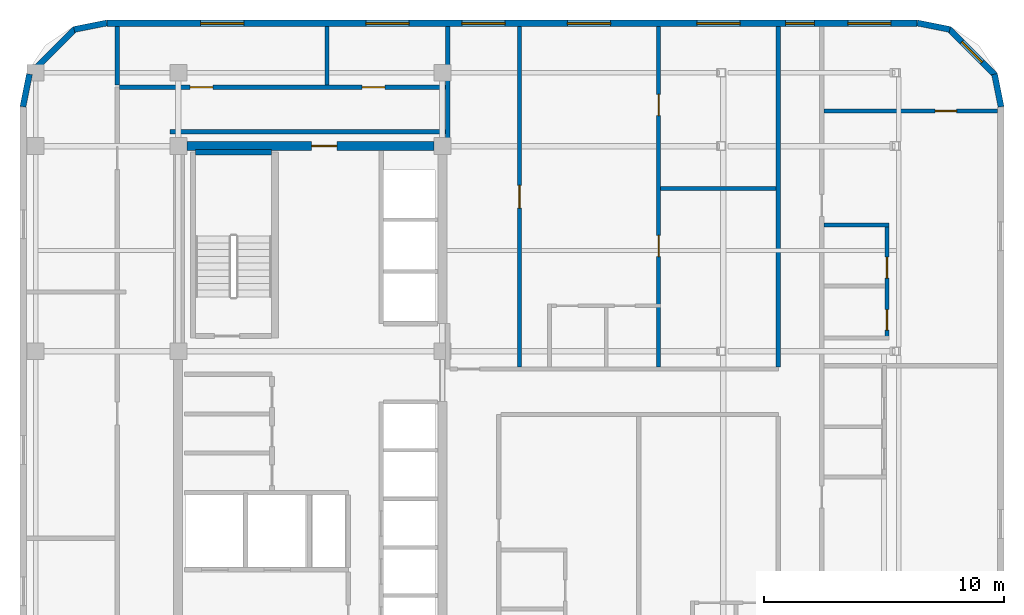
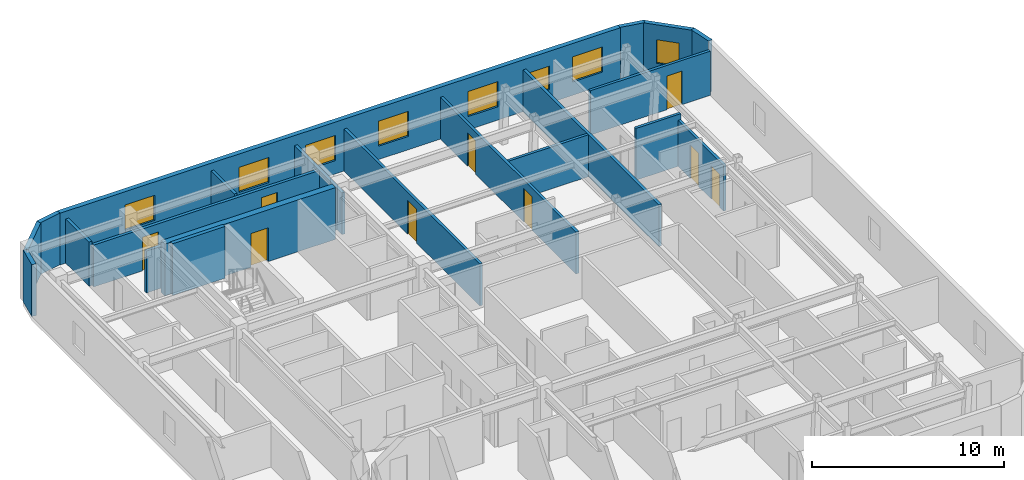
# One storey, part 6 of 8: 21 walls, 9 doors, 8 windows, 17 openings.
"""IFC4 building model written with IfcOpenShell, lengths in metres."""

from ifc_helpers import new_model, si_unit, direction, frame, frame_2d, origin, place, context, subcontext, project, spatial, rectangle, extrude, material, layer, layer_set, type_object, element, fill, save


model = new_model("IFC4")

# Units and contexts
model_context = context("Model", 3, precision=1e-05, world=origin(), true_north=direction((0.0, 1.0)))
body_context = subcontext(model_context, "Body", "Model", "MODEL_VIEW")
ifc_project = project(units=[si_unit("LENGTHUNIT", "METRE"), si_unit("AREAUNIT", "SQUARE_METRE"), si_unit("VOLUMEUNIT", "CUBIC_METRE"), si_unit("PLANEANGLEUNIT", "RADIAN"), si_unit("MASSUNIT", "GRAM", prefix="KILO")], contexts=[model_context])

# Site, building, storey
site_placement = place(None, origin())
site = spatial("IfcSite", under=ifc_project, at=site_placement, CompositionType="ELEMENT")
building_placement = place(site_placement, origin())
building = spatial("IfcBuilding", under=site, at=building_placement, Name="Ochreholt Gables", CompositionType="ELEMENT")
storey_placement = place(building_placement, frame((0.0, 0.0, 196.199951171875)))
storey = spatial("IfcBuildingStorey", under=building, at=storey_placement, Name="L51", CompositionType="ELEMENT", Elevation=196.199951171875)

# Wall, opening, door
ifc_material_1 = material(Name="Concrete 50 MPa", Category="concrete")
ifc_layer_1 = layer(ifc_material_1, 0.3798828125, Name="Concrete 50 MPa")
ifc_layer_set_1 = layer_set([ifc_layer_1], Name="Concrete 50 MPa")
wall_type_1 = type_object("IfcWallType", Name="WALL-CSW-380", PredefinedType="SHEAR", material=ifc_layer_set_1)
wall_1_placement = place(storey_placement, frame((24.550048828125, 38.75, 0.0), z_axis=(0.0, 0.0, 1.0), x_axis=(1.0, 0.0, 0.0)))
wall_1 = element("IfcWall", 1, at=wall_1_placement, inside=storey, type_object=wall_type_1, Name="L51 Core North Shear Wall", PredefinedType="SHEAR", context=body_context, shape_type="SweptSolid", body=[
    extrude(rectangle(XDim=10.300048828125, YDim=0.3798828125, at=frame_2d((5.14990234375, 0.0))), origin(), (0.0, 0.0, 1.0), 3.300048828125),
])
opening_1_placement = place(wall_1_placement, frame((5.199951171875, 0.0, 0.0)))
opening_1 = element("IfcOpeningElement", 2, at=opening_1_placement, cuts=wall_1, Name="Opening D-FLB", PredefinedType="OPENING", context=body_context, shape_type="SweptSolid", body=[
    extrude(rectangle(XDim=1.050048828125, YDim=2.14990234375, at=frame_2d((0.52490234375, 1.074951171875))), frame((0.0, 0.199951171875, 0.0), z_axis=(0.0, -1.0, 0.0), x_axis=(1.0, 0.0, 0.0)), (0.0, 0.0, 1.0), 0.39990234375),
])
ifc_material_2 = material(Name="Hollow Metal Steel", Category="steel")
door_type_1 = type_object("IfcDoorType", Name="DR-INT-FLB1050", OperationType="NOTDEFINED", PredefinedType="DOOR", material=ifc_material_2)
door_1_placement = place(opening_1_placement, frame((1.050048828125, 0.0, 0.0), z_axis=(0.0, 0.0, 1.0), x_axis=(-1.0, 0.0, 0.0)))
door_1 = element("IfcDoor", 3, at=door_1_placement, inside=storey, type_object=door_type_1, Name="L51 Door D-C2CRN-L51", OperationType="SINGLE_SWING_RIGHT", OverallHeight=2.14990234375, OverallWidth=1.050048828125, PredefinedType="DOOR", context=body_context, shape_type="SweptSolid", body=[
    extrude(rectangle(XDim=1.050048828125, YDim=2.14990234375, at=frame_2d((0.52490234375, 1.074951171875))), frame((0.0, 0.02490234375, 0.0), z_axis=(0.0, -1.0, 0.0), x_axis=(1.0, 0.0, 0.0)), (0.0, 0.0, 1.0), 0.050048828125),
])
fill(opening_1, door_1)

# Wall, openings, windows
ifc_material_3 = material(Name="Precast concrete 40 MPa", Category="concrete")
ifc_layer_2 = layer(ifc_material_3, 0.280029296875, Name="Precast concrete 40 MPa")
ifc_layer_set_2 = layer_set([ifc_layer_2], Name="Precast concrete 40 MPa")
wall_type_2 = type_object("IfcWallType", Name="WALL-EXT-280", PredefinedType="SOLIDWALL", material=ifc_layer_set_2)
wall_2_placement = place(storey_placement, frame((54.97998046875, 43.860107421875, 0.0), z_axis=(0.0, 0.0, 1.0), x_axis=(-1.0, 0.0, 0.0)))
wall_2 = element("IfcWall", 4, at=wall_2_placement, inside=storey, type_object=wall_type_2, Name="L51 North Exterior Wall", PredefinedType="SOLIDWALL", context=body_context, shape_type="SweptSolid", body=[
    extrude(rectangle(XDim=33.760009765625, YDim=0.280029296875, at=frame_2d((16.8798828125, 0.0))), origin(), (0.0, 0.0, 1.0), 3.300048828125),
])
opening_2_placement = place(wall_2_placement, frame((28.054931640625, 0.0, 0.85009765625)))
opening_2 = element("IfcOpeningElement", 5, at=opening_2_placement, cuts=wall_2, Name="Opening WN-1", PredefinedType="OPENING", context=body_context, shape_type="SweptSolid", body=[
    extrude(rectangle(XDim=1.800048828125, YDim=1.60009765625, at=frame_2d((0.89990234375, 0.800048828125))), frame((0.0, 0.14990234375, 0.0), z_axis=(0.0, -1.0, 0.0), x_axis=(1.0, 0.0, 0.0)), (0.0, 0.0, 1.0), 0.300048828125),
])
opening_3_placement = place(wall_2_placement, frame((21.169921875, 0.0, 0.85009765625)))
opening_3 = element("IfcOpeningElement", 6, at=opening_3_placement, cuts=wall_2, Name="Opening WN-1", PredefinedType="OPENING", context=body_context, shape_type="SweptSolid", body=[
    extrude(rectangle(XDim=1.800048828125, YDim=1.60009765625, at=frame_2d((0.89990234375, 0.800048828125))), frame((0.0, 0.14990234375, 0.0), z_axis=(0.0, -1.0, 0.0), x_axis=(1.0, 0.0, 0.0)), (0.0, 0.0, 1.0), 0.300048828125),
])
opening_4_placement = place(wall_2_placement, frame((17.1650390625, 0.0, 0.85009765625)))
opening_4 = element("IfcOpeningElement", 7, at=opening_4_placement, cuts=wall_2, Name="Opening WN-1", PredefinedType="OPENING", context=body_context, shape_type="SweptSolid", body=[
    extrude(rectangle(XDim=1.800048828125, YDim=1.60009765625, at=frame_2d((0.89990234375, 0.800048828125))), frame((0.0, 0.14990234375, 0.0), z_axis=(0.0, -1.0, 0.0), x_axis=(1.0, 0.0, 0.0)), (0.0, 0.0, 1.0), 0.300048828125),
])
opening_5_placement = place(wall_2_placement, frame((12.77001953125, 0.0, 0.85009765625)))
opening_5 = element("IfcOpeningElement", 8, at=opening_5_placement, cuts=wall_2, Name="Opening WN-1", PredefinedType="OPENING", context=body_context, shape_type="SweptSolid", body=[
    extrude(rectangle(XDim=1.800048828125, YDim=1.60009765625, at=frame_2d((0.89990234375, 0.800048828125))), frame((0.0, 0.14990234375, 0.0), z_axis=(0.0, -1.0, 0.0), x_axis=(1.0, 0.0, 0.0)), (0.0, 0.0, 1.0), 0.300048828125),
])
opening_6_placement = place(wall_2_placement, frame((7.375, 0.0, 0.85009765625)))
opening_6 = element("IfcOpeningElement", 9, at=opening_6_placement, cuts=wall_2, Name="Opening WN-1", PredefinedType="OPENING", context=body_context, shape_type="SweptSolid", body=[
    extrude(rectangle(XDim=1.800048828125, YDim=1.60009765625, at=frame_2d((0.89990234375, 0.800048828125))), frame((0.0, 0.14990234375, 0.0), z_axis=(0.0, -1.0, 0.0), x_axis=(1.0, 0.0, 0.0)), (0.0, 0.0, 1.0), 0.300048828125),
])
opening_7_placement = place(wall_2_placement, frame((4.280029296875, 0.0, 0.85009765625)))
opening_7 = element("IfcOpeningElement", 10, at=opening_7_placement, cuts=wall_2, Name="Opening WN-3", PredefinedType="OPENING", context=body_context, shape_type="SweptSolid", body=[
    extrude(rectangle(XDim=1.199951171875, YDim=1.5, at=frame_2d((0.60009765625, 0.75))), frame((0.0, 0.14990234375, 0.0), z_axis=(0.0, -1.0, 0.0), x_axis=(1.0, 0.0, 0.0)), (0.0, 0.0, 1.0), 0.300048828125),
])
opening_8_placement = place(wall_2_placement, frame((1.090087890625, 0.0, 0.85009765625)))
opening_8 = element("IfcOpeningElement", 11, at=opening_8_placement, cuts=wall_2, Name="Opening WN-1", PredefinedType="OPENING", context=body_context, shape_type="SweptSolid", body=[
    extrude(rectangle(XDim=1.800048828125, YDim=1.60009765625, at=frame_2d((0.89990234375, 0.800048828125))), frame((0.0, 0.14990234375, 0.0), z_axis=(0.0, -1.0, 0.0), x_axis=(1.0, 0.0, 0.0)), (0.0, 0.0, 1.0), 0.300048828125),
])
ifc_material_4 = material(Name="Triple-Glazed Thermally Broken Aluminium Window", Category="aluminium")
window_type_1 = type_object("IfcWindowType", Name="WIN-RES-1200", PartitioningType="SINGLE_PANEL", PredefinedType="WINDOW", material=ifc_material_4)
window_1_placement = place(opening_7_placement, origin())
window_1 = element("IfcWindow", 12, at=window_1_placement, inside=storey, type_object=window_type_1, Name="L51 Window W-EXT-N-L51-6", OverallHeight=1.5, OverallWidth=1.199951171875, PartitioningType="SINGLE_PANEL", PredefinedType="WINDOW", context=body_context, shape_type="SweptSolid", body=[
    extrude(rectangle(XDim=1.199951171875, YDim=1.5, at=frame_2d((0.60009765625, 0.75))), frame((0.0, 0.030029296875, 0.0), z_axis=(0.0, -1.0, 0.0), x_axis=(1.0, 0.0, 0.0)), (0.0, 0.0, 1.0), 0.06005859375),
])
fill(opening_7, window_1)
window_type_2 = type_object("IfcWindowType", Name="WIN-RES-1800", PartitioningType="SINGLE_PANEL", PredefinedType="WINDOW", material=ifc_material_4)
window_2_placement = place(opening_2_placement, origin())
window_2 = element("IfcWindow", 13, at=window_2_placement, inside=storey, type_object=window_type_2, Name="L51 Window W-EXT-N-L51-1", OverallHeight=1.60009765625, OverallWidth=1.800048828125, PartitioningType="SINGLE_PANEL", PredefinedType="WINDOW", context=body_context, shape_type="SweptSolid", body=[
    extrude(rectangle(XDim=1.800048828125, YDim=1.60009765625, at=frame_2d((0.89990234375, 0.800048828125))), frame((0.0, 0.030029296875, 0.0), z_axis=(0.0, -1.0, 0.0), x_axis=(1.0, 0.0, 0.0)), (0.0, 0.0, 1.0), 0.06005859375),
])
fill(opening_2, window_2)
window_3_placement = place(opening_3_placement, origin())
window_3 = element("IfcWindow", 14, at=window_3_placement, inside=storey, type_object=window_type_2, Name="L51 Window W-EXT-N-L51-2", OverallHeight=1.60009765625, OverallWidth=1.800048828125, PartitioningType="SINGLE_PANEL", PredefinedType="WINDOW", context=body_context, shape_type="SweptSolid", body=[
    extrude(rectangle(XDim=1.800048828125, YDim=1.60009765625, at=frame_2d((0.89990234375, 0.800048828125))), frame((0.0, 0.030029296875, 0.0), z_axis=(0.0, -1.0, 0.0), x_axis=(1.0, 0.0, 0.0)), (0.0, 0.0, 1.0), 0.06005859375),
])
fill(opening_3, window_3)
window_4_placement = place(opening_4_placement, origin())
window_4 = element("IfcWindow", 15, at=window_4_placement, inside=storey, type_object=window_type_2, Name="L51 Window W-EXT-N-L51-3", OverallHeight=1.60009765625, OverallWidth=1.800048828125, PartitioningType="SINGLE_PANEL", PredefinedType="WINDOW", context=body_context, shape_type="SweptSolid", body=[
    extrude(rectangle(XDim=1.800048828125, YDim=1.60009765625, at=frame_2d((0.89990234375, 0.800048828125))), frame((0.0, 0.030029296875, 0.0), z_axis=(0.0, -1.0, 0.0), x_axis=(1.0, 0.0, 0.0)), (0.0, 0.0, 1.0), 0.06005859375),
])
fill(opening_4, window_4)
window_5_placement = place(opening_5_placement, origin())
window_5 = element("IfcWindow", 16, at=window_5_placement, inside=storey, type_object=window_type_2, Name="L51 Window W-EXT-N-L51-4", OverallHeight=1.60009765625, OverallWidth=1.800048828125, PartitioningType="SINGLE_PANEL", PredefinedType="WINDOW", context=body_context, shape_type="SweptSolid", body=[
    extrude(rectangle(XDim=1.800048828125, YDim=1.60009765625, at=frame_2d((0.89990234375, 0.800048828125))), frame((0.0, 0.030029296875, 0.0), z_axis=(0.0, -1.0, 0.0), x_axis=(1.0, 0.0, 0.0)), (0.0, 0.0, 1.0), 0.06005859375),
])
fill(opening_5, window_5)
window_6_placement = place(opening_6_placement, origin())
window_6 = element("IfcWindow", 17, at=window_6_placement, inside=storey, type_object=window_type_2, Name="L51 Window W-EXT-N-L51-5", OverallHeight=1.60009765625, OverallWidth=1.800048828125, PartitioningType="SINGLE_PANEL", PredefinedType="WINDOW", context=body_context, shape_type="SweptSolid", body=[
    extrude(rectangle(XDim=1.800048828125, YDim=1.60009765625, at=frame_2d((0.89990234375, 0.800048828125))), frame((0.0, 0.030029296875, 0.0), z_axis=(0.0, -1.0, 0.0), x_axis=(1.0, 0.0, 0.0)), (0.0, 0.0, 1.0), 0.06005859375),
])
fill(opening_6, window_6)
window_7_placement = place(opening_8_placement, origin())
window_7 = element("IfcWindow", 18, at=window_7_placement, inside=storey, type_object=window_type_2, Name="L51 Window W-EXT-N-L51-7", OverallHeight=1.60009765625, OverallWidth=1.800048828125, PartitioningType="SINGLE_PANEL", PredefinedType="WINDOW", context=body_context, shape_type="SweptSolid", body=[
    extrude(rectangle(XDim=1.800048828125, YDim=1.60009765625, at=frame_2d((0.89990234375, 0.800048828125))), frame((0.0, 0.030029296875, 0.0), z_axis=(0.0, -1.0, 0.0), x_axis=(1.0, 0.0, 0.0)), (0.0, 0.0, 1.0), 0.06005859375),
])
fill(opening_8, window_7)

# Wall
ifc_layer_3 = layer(ifc_material_3, 0.25, Name="Precast concrete 40 MPa")
ifc_layer_set_3 = layer_set([ifc_layer_3], Name="Precast concrete 40 MPa")
wall_type_3 = type_object("IfcWallType", Name="WALL-EXT-CNR", PredefinedType="SOLIDWALL", material=ifc_layer_set_3)
wall_3_placement = place(storey_placement, frame((58.475830078125, 40.383544921875, 0.0), z_axis=(0.0, 0.0, 1.0), x_axis=(-0.19496651342, 0.980809899341, 0.0)))
element("IfcWall", 19, at=wall_3_placement, inside=storey, type_object=wall_type_3, Name="L51 Rounded Corner Wall NE-1", PredefinedType="SOLIDWALL", context=body_context, shape_type="SweptSolid", body=[
    extrude(rectangle(XDim=1.388671875, YDim=0.25, at=frame_2d((0.6943359375, 0.0))), origin(), (0.0, 0.0, 1.0), 3.300048828125),
])

# Wall, opening, window
wall_4_placement = place(storey_placement, frame((58.23193359375, 41.695068359375, 0.0), z_axis=(0.0, 0.0, 1.0), x_axis=(-0.707106781187, 0.707106781187, 0.0)))
wall_4 = element("IfcWall", 20, at=wall_4_placement, inside=storey, type_object=wall_type_3, Name="L51 Rounded Corner Wall NE-2", PredefinedType="SOLIDWALL", context=body_context, shape_type="SweptSolid", body=[
    extrude(rectangle(XDim=2.7392578125, YDim=0.25, at=frame_2d((1.36962890625, 0.0))), origin(), (0.0, 0.0, 1.0), 3.300048828125),
])
opening_9_placement = place(wall_4_placement, frame((0.769775390625, 0.0, 0.85009765625)))
opening_9 = element("IfcOpeningElement", 21, at=opening_9_placement, cuts=wall_4, Name="Opening WN-3", PredefinedType="OPENING", context=body_context, shape_type="SweptSolid", body=[
    extrude(rectangle(XDim=1.199951171875, YDim=1.5, at=frame_2d((0.60009765625, 0.75))), frame((0.0, 0.135009765625, 0.0), z_axis=(0.0, -1.0, 0.0), x_axis=(1.0, 0.0, 0.0)), (0.0, 0.0, 1.0), 0.27001953125),
])
window_8_placement = place(opening_9_placement, origin())
window_8 = element("IfcWindow", 22, at=window_8_placement, inside=storey, type_object=window_type_1, Name="L51 Corner Bedroom Window NE", OverallHeight=1.5, OverallWidth=1.199951171875, PartitioningType="SINGLE_PANEL", PredefinedType="WINDOW", context=body_context, shape_type="SweptSolid", body=[
    extrude(rectangle(XDim=1.199951171875, YDim=1.5, at=frame_2d((0.60009765625, 0.75))), frame((0.0, 0.030029296875, 0.0), z_axis=(0.0, -1.0, 0.0), x_axis=(1.0, 0.0, 0.0)), (0.0, 0.0, 1.0), 0.06005859375),
])
fill(opening_9, window_8)

# Walls
for number, where, z_axis, x_axis, name in (
    (23, (56.345458984375, 43.60498046875, 0.0), (0.0, 0.0, 1.0), (-0.980809899341, 0.19496651342, 0.0), "L51 Rounded Corner Wall NE-3"),
    (24, (21.216552734375, 43.875732421875, 0.0), (0.0, 0.0, 1.0), (-0.980809899341, -0.19496651342, 0.0), "L51 Rounded Corner Wall NW-1"),
):
    element("IfcWall", number, at=place(storey_placement, frame(where, z_axis=z_axis, x_axis=x_axis)), inside=storey, type_object=wall_type_3, Name=name, PredefinedType="SOLIDWALL", context=body_context, shape_type="SweptSolid", body=[
        extrude(rectangle(XDim=1.388671875, YDim=0.25, at=frame_2d((0.6943359375, 0.0))), origin(), (0.0, 0.0, 1.0), 3.300048828125),
    ])
wall_5_placement = place(storey_placement, frame((19.905029296875, 43.632080078125, 0.0), z_axis=(0.0, 0.0, 1.0), x_axis=(-0.707106781187, -0.707106781187, 0.0)))
element("IfcWall", 25, at=wall_5_placement, inside=storey, type_object=wall_type_3, Name="L51 Rounded Corner Wall NW-2", PredefinedType="SOLIDWALL", context=body_context, shape_type="SweptSolid", body=[
    extrude(rectangle(XDim=2.7392578125, YDim=0.25, at=frame_2d((1.36962890625, 0.0))), origin(), (0.0, 0.0, 1.0), 3.300048828125),
])
wall_6_placement = place(storey_placement, frame((17.9951171875, 41.74560546875, 0.0), z_axis=(0.0, 0.0, 1.0), x_axis=(-0.195135625965, -0.9807762678, 0.0)))
element("IfcWall", 26, at=wall_6_placement, inside=storey, type_object=wall_type_3, Name="L51 Rounded Corner Wall NW-3", PredefinedType="SOLIDWALL", context=body_context, shape_type="SweptSolid", body=[
    extrude(rectangle(XDim=1.388671875, YDim=0.25, at=frame_2d((0.6943359375, 0.0))), origin(), (0.0, 0.0, 1.0), 3.300048828125),
])

# Wall, openings, doors
ifc_material_5 = material(Name="Fire-Rated Gypsum Acoustic Partition", Category="gypsum")
ifc_layer_4 = layer(ifc_material_5, 0.179931640625, Name="Fire-Rated Gypsum Acoustic Partition")
ifc_layer_set_4 = layer_set([ifc_layer_4], Name="Fire-Rated Gypsum Acoustic Partition")
wall_type_4 = type_object("IfcWallType", Name="WALL-INT-CR180", PredefinedType="STANDARD", material=ifc_layer_set_4)
wall_7_placement = place(storey_placement, frame((21.739990234375, 41.199951171875, 0.0), z_axis=(0.0, 0.0, 1.0), x_axis=(1.0, 0.0, 0.0)))
wall_7 = element("IfcWall", 27, at=wall_7_placement, inside=storey, type_object=wall_type_4, Name="L51 Interior Wall WI-C2WCN-L51", PredefinedType="STANDARD", context=body_context, shape_type="SweptSolid", body=[
    extrude(rectangle(XDim=13.679931640625, YDim=0.179931640625, at=frame_2d((6.83984375, 0.0))), origin(), (0.0, 0.0, 1.0), 2.670166015625),
])
opening_10_placement = place(wall_7_placement, frame((2.949951171875, 0.0, 0.0)))
opening_10 = element("IfcOpeningElement", 28, at=opening_10_placement, cuts=wall_7, Name="Opening D-GN1", PredefinedType="OPENING", context=body_context, shape_type="SweptSolid", body=[
    extrude(rectangle(XDim=0.949951171875, YDim=2.14990234375, at=frame_2d((0.47509765625, 1.074951171875))), frame((0.0, 0.099853515625, 0.0), z_axis=(0.0, -1.0, 0.0), x_axis=(1.0, 0.0, 0.0)), (0.0, 0.0, 1.0), 0.199951171875),
])
opening_11_placement = place(wall_7_placement, frame((10.110107421875, 0.0, 0.0)))
opening_11 = element("IfcOpeningElement", 29, at=opening_11_placement, cuts=wall_7, Name="Opening D-GN1", PredefinedType="OPENING", context=body_context, shape_type="SweptSolid", body=[
    extrude(rectangle(XDim=0.949951171875, YDim=2.14990234375, at=frame_2d((0.47509765625, 1.074951171875))), frame((0.0, 0.099853515625, 0.0), z_axis=(0.0, -1.0, 0.0), x_axis=(1.0, 0.0, 0.0)), (0.0, 0.0, 1.0), 0.199951171875),
])
ifc_material_6 = material(Name="Engineered Oak Timber", Category="wood")
door_type_2 = type_object("IfcDoorType", Name="DR-INT-GEN950", OperationType="NOTDEFINED", PredefinedType="DOOR", material=ifc_material_6)
door_2_placement = place(opening_10_placement, origin())
door_2 = element("IfcDoor", 30, at=door_2_placement, inside=storey, type_object=door_type_2, Name="L51 Door D-C2NRS1-L51", OperationType="SINGLE_SWING_RIGHT", OverallHeight=2.14990234375, OverallWidth=0.949951171875, PredefinedType="DOOR", context=body_context, shape_type="SweptSolid", body=[
    extrude(rectangle(XDim=0.949951171875, YDim=2.14990234375, at=frame_2d((0.47509765625, 1.074951171875))), frame((0.0, 0.02490234375, 0.0), z_axis=(0.0, -1.0, 0.0), x_axis=(1.0, 0.0, 0.0)), (0.0, 0.0, 1.0), 0.050048828125),
])
fill(opening_10, door_2)
door_3_placement = place(opening_11_placement, origin())
door_3 = element("IfcDoor", 31, at=door_3_placement, inside=storey, type_object=door_type_2, Name="L51 Door D-C2NRS2-L51", OperationType="SINGLE_SWING_LEFT", OverallHeight=2.14990234375, OverallWidth=0.949951171875, PredefinedType="DOOR", context=body_context, shape_type="SweptSolid", body=[
    extrude(rectangle(XDim=0.949951171875, YDim=2.14990234375, at=frame_2d((0.47509765625, 1.074951171875))), frame((0.0, 0.02490234375, 0.0), z_axis=(0.0, -1.0, 0.0), x_axis=(1.0, 0.0, 0.0)), (0.0, 0.0, 1.0), 0.050048828125),
])
fill(opening_11, door_3)

# Walls
wall_8_placement = place(storey_placement, frame((23.85009765625, 39.35009765625, 0.0), z_axis=(0.0, 0.0, 1.0), x_axis=(1.0, 0.0, 0.0)))
element("IfcWall", 32, at=wall_8_placement, inside=storey, type_object=wall_type_4, Name="L51 Interior Wall WI-C2WCN2-L51", PredefinedType="STANDARD", context=body_context, shape_type="SweptSolid", body=[
    extrude(rectangle(XDim=11.56982421875, YDim=0.179931640625, at=frame_2d((5.784912109375, 0.0))), origin(), (0.0, 0.0, 1.0), 2.670166015625),
])
wall_9_placement = place(storey_placement, frame((49.199951171875, 29.550048828125, 0.0), z_axis=(0.0, 0.0, 1.0), x_axis=(0.0, 1.0, 0.0)))
element("IfcWall", 33, at=wall_9_placement, inside=storey, type_object=wall_type_4, Name="L51 Interior Wall WI-C2FEGW3-L51", PredefinedType="STANDARD", context=body_context, shape_type="SweptSolid", body=[
    extrude(rectangle(XDim=14.169921875, YDim=0.179931640625, at=frame_2d((7.0849609375, 0.0))), origin(), (0.0, 0.0, 1.0), 2.670166015625),
])
ifc_material_7 = material(Name="Double-Stud Acoustic Demising Wall", Category="gypsum")
ifc_layer_5 = layer(ifc_material_7, 0.179931640625, Name="Double-Stud Acoustic Demising Wall")
ifc_layer_set_5 = layer_set([ifc_layer_5], Name="Double-Stud Acoustic Demising Wall")
wall_type_5 = type_object("IfcWallType", Name="WALL-INT-DM180", PredefinedType="PARTITIONING", material=ifc_layer_set_5)
wall_10_placement = place(storey_placement, frame((21.64990234375, 41.2900390625, 0.0), z_axis=(0.0, 0.0, 1.0), x_axis=(0.0, 1.0, 0.0)))
element("IfcWall", 34, at=wall_10_placement, inside=storey, type_object=wall_type_5, Name="L51 Interior Wall WI-C2WWN-L51", PredefinedType="PARTITIONING", context=body_context, shape_type="SweptSolid", body=[
    extrude(rectangle(XDim=2.429931640625, YDim=0.179931640625, at=frame_2d((1.21484375, 0.0))), origin(), (0.0, 0.0, 1.0), 2.819091796875),
])
wall_11_placement = place(storey_placement, frame((35.419921875, 38.75, 0.0), z_axis=(0.0, 0.0, 1.0), x_axis=(0.0, 1.0, 0.0)))
element("IfcWall", 35, at=wall_11_placement, inside=storey, type_object=wall_type_5, Name="L51 Interior Wall WI-C2NEN-L51", PredefinedType="PARTITIONING", context=body_context, shape_type="SweptSolid", body=[
    extrude(rectangle(XDim=4.969970703125, YDim=0.179931640625, at=frame_2d((2.48486328125, 0.0))), origin(), (0.0, 0.0, 1.0), 2.670166015625),
])
ifc_material_8 = material(Name="Moisture-Resistant Plumbing Chase Wall", Category="gypsum")
ifc_layer_6 = layer(ifc_material_8, 0.159912109375, Name="Moisture-Resistant Plumbing Chase Wall")
ifc_layer_set_6 = layer_set([ifc_layer_6], Name="Moisture-Resistant Plumbing Chase Wall")
wall_type_6 = type_object("IfcWallType", Name="WALL-INT-PL160", PredefinedType="PLUMBINGWALL", material=ifc_layer_set_6)
wall_12_placement = place(storey_placement, frame((51.090087890625, 35.453857421875, 0.0), z_axis=(0.0, 0.0, 1.0), x_axis=(1.0, 0.0, 0.0)))
element("IfcWall", 36, at=wall_12_placement, inside=storey, type_object=wall_type_6, Name="L51 Interior Wall WU-L51FE3-FYN", PredefinedType="PLUMBINGWALL", context=body_context, shape_type="SweptSolid", body=[
    extrude(rectangle(XDim=2.7119140625, YDim=0.159912109375, at=frame_2d((1.35595703125, 0.0))), origin(), (0.0, 0.0, 1.0), 3.300048828125),
])

# Wall, openings, doors
wall_13_placement = place(storey_placement, frame((53.721923828125, 30.656982421875, 0.0), z_axis=(0.0, 0.0, 1.0), x_axis=(0.0, 1.0, 0.0)))
wall_13 = element("IfcWall", 37, at=wall_13_placement, inside=storey, type_object=wall_type_6, Name="L51 Interior Wall WU-L51FE3-WX", PredefinedType="PLUMBINGWALL", context=body_context, shape_type="SweptSolid", body=[
    extrude(rectangle(XDim=4.886962890625, YDim=0.159912109375, at=frame_2d((2.443359375, 0.0))), origin(), (0.0, 0.0, 1.0), 2.924072265625),
])
opening_12_placement = place(wall_13_placement, frame((0.419921875, 0.0, 0.0)))
opening_12 = element("IfcOpeningElement", 38, at=opening_12_placement, cuts=wall_13, Name="Opening D-BT1", PredefinedType="OPENING", context=body_context, shape_type="SweptSolid", body=[
    extrude(rectangle(XDim=0.860107421875, YDim=2.1201171875, at=frame_2d((0.43017578125, 1.06005859375))), frame((0.0, 0.08984375, 0.0), z_axis=(0.0, -1.0, 0.0), x_axis=(1.0, 0.0, 0.0)), (0.0, 0.0, 1.0), 0.179931640625),
])
opening_13_placement = place(wall_13_placement, frame((2.585205078125, 0.0, 0.0)))
opening_13 = element("IfcOpeningElement", 39, at=opening_13_placement, cuts=wall_13, Name="Opening D-GN2", PredefinedType="OPENING", context=body_context, shape_type="SweptSolid", body=[
    extrude(rectangle(XDim=0.8798828125, YDim=2.1201171875, at=frame_2d((0.43994140625, 1.06005859375))), frame((0.0, 0.08984375, 0.0), z_axis=(0.0, -1.0, 0.0), x_axis=(1.0, 0.0, 0.0)), (0.0, 0.0, 1.0), 0.179931640625),
])
door_type_3 = type_object("IfcDoorType", Name="DR-INT-BTH860", OperationType="NOTDEFINED", PredefinedType="DOOR", material=ifc_material_6)
door_4_placement = place(opening_12_placement, origin())
door_4 = element("IfcDoor", 40, at=door_4_placement, inside=storey, type_object=door_type_3, Name="L51 Door D-U-L51FE3-BTH", OperationType="SINGLE_SWING_LEFT", OverallHeight=2.1201171875, OverallWidth=0.860107421875, PredefinedType="DOOR", context=body_context, shape_type="SweptSolid", body=[
    extrude(rectangle(XDim=0.860107421875, YDim=2.1201171875, at=frame_2d((0.43017578125, 1.06005859375))), frame((0.0, 0.02490234375, 0.0), z_axis=(0.0, -1.0, 0.0), x_axis=(1.0, 0.0, 0.0)), (0.0, 0.0, 1.0), 0.050048828125),
])
fill(opening_12, door_4)
door_type_4 = type_object("IfcDoorType", Name="DR-INT-GEN880", OperationType="NOTDEFINED", PredefinedType="DOOR", material=ifc_material_6)
door_5_placement = place(opening_13_placement, origin())
door_5 = element("IfcDoor", 41, at=door_5_placement, inside=storey, type_object=door_type_4, Name="L51 Door D-U-L51FE3-KIT", OperationType="SINGLE_SWING_RIGHT", OverallHeight=2.1201171875, OverallWidth=0.8798828125, PredefinedType="DOOR", context=body_context, shape_type="SweptSolid", body=[
    extrude(rectangle(XDim=0.8798828125, YDim=2.1201171875, at=frame_2d((0.43994140625, 1.06005859375))), frame((0.0, 0.02490234375, 0.0), z_axis=(0.0, -1.0, 0.0), x_axis=(1.0, 0.0, 0.0)), (0.0, 0.0, 1.0), 0.050048828125),
])
fill(opening_13, door_5)

ifc_material_9 = material(Name="Gypsum Acoustic Stud Partition", Category="gypsum")
ifc_layer_7 = layer(ifc_material_9, 0.1650390625, Name="Gypsum Acoustic Stud Partition")
ifc_layer_set_7 = layer_set([ifc_layer_7], Name="Gypsum Acoustic Stud Partition")
wall_type_7 = type_object("IfcWallType", Name="WALL-INT-PT165", PredefinedType="PARTITIONING", material=ifc_layer_set_7)
wall_14_placement = place(storey_placement, frame((44.2099609375, 29.550048828125, 0.0), z_axis=(0.0, 0.0, 1.0), x_axis=(0.0, 1.0, 0.0)))
wall_14 = element("IfcWall", 42, at=wall_14_placement, inside=storey, type_object=wall_type_7, Name="L51 Interior Wall WU-L51N1-MNX", PredefinedType="PARTITIONING", context=body_context, shape_type="SweptSolid", body=[
    extrude(rectangle(XDim=14.169921875, YDim=0.1650390625, at=frame_2d((7.0849609375, 0.0))), origin(), (0.0, 0.0, 1.0), 2.670166015625),
])
opening_14_placement = place(wall_14_placement, frame((4.592529296875, 0.0, 0.0)))
opening_14 = element("IfcOpeningElement", 43, at=opening_14_placement, cuts=wall_14, Name="Opening D-BD2", PredefinedType="OPENING", context=body_context, shape_type="SweptSolid", body=[
    extrude(rectangle(XDim=0.8798828125, YDim=2.139892578125, at=frame_2d((0.43994140625, 1.06982421875))), frame((0.0, 0.092529296875, 0.0), z_axis=(0.0, -1.0, 0.0), x_axis=(1.0, 0.0, 0.0)), (0.0, 0.0, 1.0), 0.18505859375),
])
opening_15_placement = place(wall_14_placement, frame((10.469970703125, 0.0, 0.0)))
opening_15 = element("IfcOpeningElement", 44, at=opening_15_placement, cuts=wall_14, Name="Opening D-BD2", PredefinedType="OPENING", context=body_context, shape_type="SweptSolid", body=[
    extrude(rectangle(XDim=0.8798828125, YDim=2.139892578125, at=frame_2d((0.43994140625, 1.06982421875))), frame((0.0, 0.092529296875, 0.0), z_axis=(0.0, -1.0, 0.0), x_axis=(1.0, 0.0, 0.0)), (0.0, 0.0, 1.0), 0.18505859375),
])
door_type_5 = type_object("IfcDoorType", Name="DR-INT-BED880", OperationType="NOTDEFINED", PredefinedType="DOOR", material=ifc_material_6)
door_6_placement = place(opening_14_placement, origin())
door_6 = element("IfcDoor", 45, at=door_6_placement, inside=storey, type_object=door_type_5, Name="L51 Door D-U-L51N1-BD1", OperationType="SINGLE_SWING_LEFT", OverallHeight=2.139892578125, OverallWidth=0.8798828125, PredefinedType="DOOR", context=body_context, shape_type="SweptSolid", body=[
    extrude(rectangle(XDim=0.8798828125, YDim=2.139892578125, at=frame_2d((0.43994140625, 1.06982421875))), frame((0.0, 0.02490234375, 0.0), z_axis=(0.0, -1.0, 0.0), x_axis=(1.0, 0.0, 0.0)), (0.0, 0.0, 1.0), 0.050048828125),
])
fill(opening_14, door_6)
door_7_placement = place(opening_15_placement, origin())
door_7 = element("IfcDoor", 46, at=door_7_placement, inside=storey, type_object=door_type_5, Name="L51 Door D-U-L51N1-BD2", OperationType="SINGLE_SWING_RIGHT", OverallHeight=2.139892578125, OverallWidth=0.8798828125, PredefinedType="DOOR", context=body_context, shape_type="SweptSolid", body=[
    extrude(rectangle(XDim=0.8798828125, YDim=2.139892578125, at=frame_2d((0.43994140625, 1.06982421875))), frame((0.0, 0.02490234375, 0.0), z_axis=(0.0, -1.0, 0.0), x_axis=(1.0, 0.0, 0.0)), (0.0, 0.0, 1.0), 0.050048828125),
])
fill(opening_15, door_7)

# Wall, opening, door
wall_15_placement = place(storey_placement, frame((38.409912109375, 29.550048828125, 0.0), z_axis=(0.0, 0.0, 1.0), x_axis=(0.0, 1.0, 0.0)))
wall_15 = element("IfcWall", 47, at=wall_15_placement, inside=storey, type_object=wall_type_7, Name="L51 Interior Wall WU-L51N1-DNX", PredefinedType="PARTITIONING", context=body_context, shape_type="SweptSolid", body=[
    extrude(rectangle(XDim=14.169921875, YDim=0.1650390625, at=frame_2d((7.0849609375, 0.0))), origin(), (0.0, 0.0, 1.0), 2.670166015625),
])
opening_16_placement = place(wall_15_placement, frame((6.610107421875, 0.0, 0.0)))
opening_16 = element("IfcOpeningElement", 48, at=opening_16_placement, cuts=wall_15, Name="Opening D-GN1", PredefinedType="OPENING", context=body_context, shape_type="SweptSolid", body=[
    extrude(rectangle(XDim=0.949951171875, YDim=2.14990234375, at=frame_2d((0.47509765625, 1.074951171875))), frame((0.0, 0.092529296875, 0.0), z_axis=(0.0, -1.0, 0.0), x_axis=(1.0, 0.0, 0.0)), (0.0, 0.0, 1.0), 0.18505859375),
])
door_8_placement = place(opening_16_placement, origin())
door_8 = element("IfcDoor", 49, at=door_8_placement, inside=storey, type_object=door_type_2, Name="L51 Door D-U-L51N1-DIN", OperationType="SINGLE_SWING_RIGHT", OverallHeight=2.14990234375, OverallWidth=0.949951171875, PredefinedType="DOOR", context=body_context, shape_type="SweptSolid", body=[
    extrude(rectangle(XDim=0.949951171875, YDim=2.14990234375, at=frame_2d((0.47509765625, 1.074951171875))), frame((0.0, 0.02490234375, 0.0), z_axis=(0.0, -1.0, 0.0), x_axis=(1.0, 0.0, 0.0)), (0.0, 0.0, 1.0), 0.050048828125),
])
fill(opening_16, door_8)

# Wall
wall_16_placement = place(storey_placement, frame((44.2900390625, 36.97998046875, 0.0), z_axis=(0.0, 0.0, 1.0), x_axis=(1.0, 0.0, 0.0)))
element("IfcWall", 50, at=wall_16_placement, inside=storey, type_object=wall_type_7, Name="L51 Interior Wall WU-L51N1-RDV", PredefinedType="PARTITIONING", context=body_context, shape_type="SweptSolid", body=[
    extrude(rectangle(XDim=4.820068359375, YDim=0.1650390625, at=frame_2d((2.41015625, 0.0))), origin(), (0.0, 0.0, 1.0), 2.670166015625),
])

# Wall, opening, door
wall_17_placement = place(storey_placement, frame((51.090087890625, 40.2099609375, 0.0), z_axis=(0.0, 0.0, 1.0), x_axis=(1.0, 0.0, 0.0)))
wall_17 = element("IfcWall", 51, at=wall_17_placement, inside=storey, type_object=wall_type_7, Name="L51 Interior Wall WU-L51FE3-MN", PredefinedType="PARTITIONING", context=body_context, shape_type="SweptSolid", body=[
    extrude(rectangle(XDim=7.22998046875, YDim=0.1650390625, at=frame_2d((3.614990234375, 0.0))), origin(), (0.0, 0.0, 1.0), 2.819091796875),
])
opening_17_placement = place(wall_17_placement, frame((4.635986328125, 0.0, 0.0)))
opening_17 = element("IfcOpeningElement", 52, at=opening_17_placement, cuts=wall_17, Name="Opening D-BD1", PredefinedType="OPENING", context=body_context, shape_type="SweptSolid", body=[
    extrude(rectangle(XDim=0.89990234375, YDim=2.139892578125, at=frame_2d((0.449951171875, 1.06982421875))), frame((0.0, 0.092529296875, 0.0), z_axis=(0.0, -1.0, 0.0), x_axis=(1.0, 0.0, 0.0)), (0.0, 0.0, 1.0), 0.18505859375),
])
door_type_6 = type_object("IfcDoorType", Name="DR-INT-BED900", OperationType="NOTDEFINED", PredefinedType="DOOR", material=ifc_material_6)
door_9_placement = place(opening_17_placement, origin())
door_9 = element("IfcDoor", 53, at=door_9_placement, inside=storey, type_object=door_type_6, Name="L51 Door D-U-L51FE3-BD1", OperationType="SINGLE_SWING_LEFT", OverallHeight=2.139892578125, OverallWidth=0.89990234375, PredefinedType="DOOR", context=body_context, shape_type="SweptSolid", body=[
    extrude(rectangle(XDim=0.89990234375, YDim=2.139892578125, at=frame_2d((0.449951171875, 1.06982421875))), frame((0.0, 0.02490234375, 0.0), z_axis=(0.0, -1.0, 0.0), x_axis=(1.0, 0.0, 0.0)), (0.0, 0.0, 1.0), 0.050048828125),
])
fill(opening_17, door_9)

# Walls
wall_18_placement = place(storey_placement, frame((30.39990234375, 41.2900390625, 0.0), z_axis=(0.0, 0.0, 1.0), x_axis=(0.0, 1.0, 0.0)))
element("IfcWall", 54, at=wall_18_placement, inside=storey, type_object=wall_type_7, Name="L51 Interior Wall WI-C2PKN-L51", PredefinedType="PARTITIONING", context=body_context, shape_type="SweptSolid", body=[
    extrude(rectangle(XDim=2.429931640625, YDim=0.1650390625, at=frame_2d((1.21484375, 0.0))), origin(), (0.0, 0.0, 1.0), 2.819091796875),
])
ifc_layer_8 = layer(ifc_material_1, 0.219970703125, Name="Concrete 50 MPa")
ifc_layer_set_8 = layer_set([ifc_layer_8], Name="Concrete 50 MPa")
wall_type_8 = type_object("IfcWallType", Name="WALL-STW-220", PredefinedType="SHEAR", material=ifc_layer_set_8)
wall_19_placement = place(storey_placement, frame((24.919921875, 38.489990234375, 0.0), z_axis=(0.0, 0.0, 1.0), x_axis=(1.0, 0.0, 0.0)))
element("IfcWall", 55, at=wall_19_placement, inside=storey, type_object=wall_type_8, Name="L51 Exit Stair 2 North Wall", PredefinedType="SHEAR", context=body_context, shape_type="SweptSolid", body=[
    extrude(rectangle(XDim=3.16015625, YDim=0.219970703125, at=frame_2d((1.580078125, 0.0))), origin(), (0.0, 0.0, 1.0), 3.300048828125),
])

save(model, "model.ifc")
